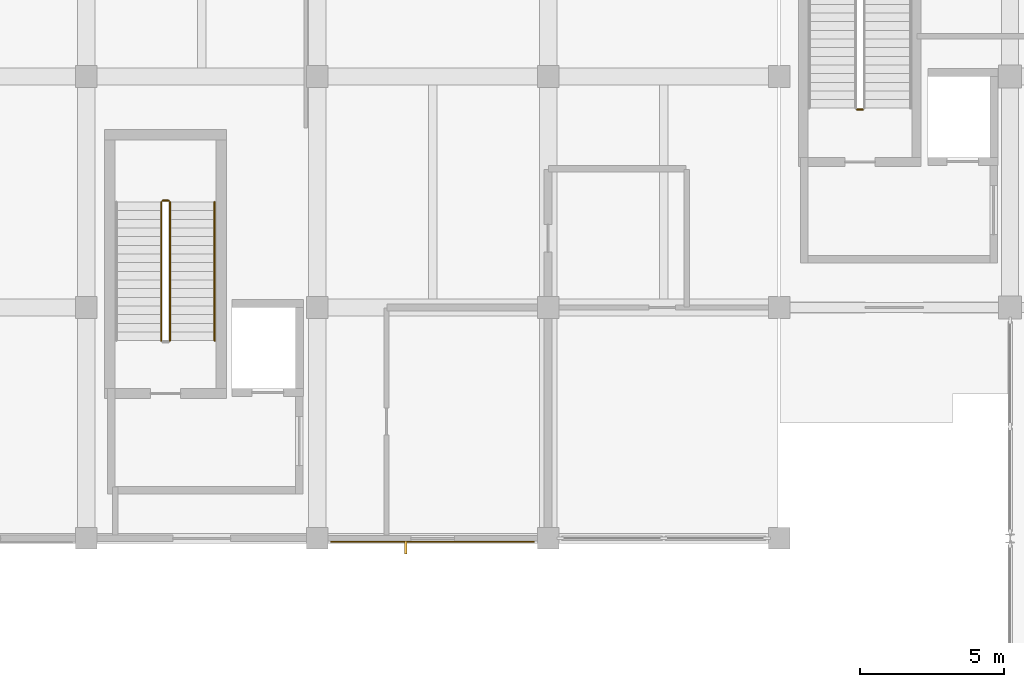
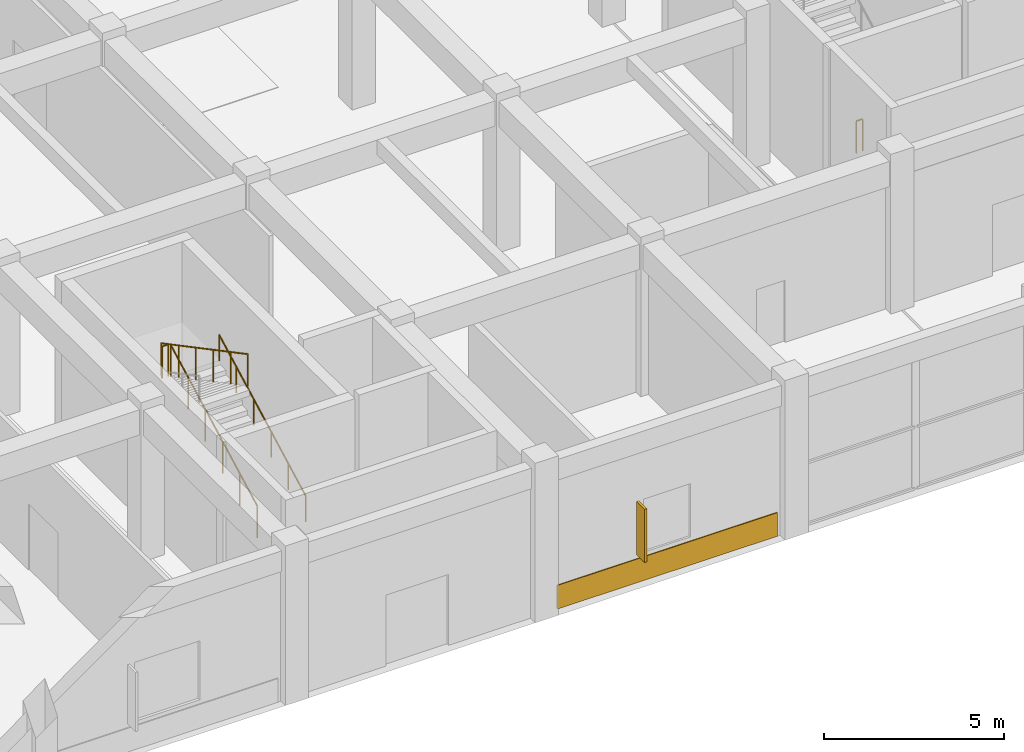
# One storey, part 67 of 86: 5 railings, 1 covering, 1 shading device.
"""IFC4 building model written with IfcOpenShell, lengths in metres."""

from ifc_helpers import new_model, si_unit, direction, frame, origin, origin_2d, place, context, subcontext, project, spatial, rectangle, circle, extrude, material, layer, layer_set, type_object, element, save


model = new_model("IFC4")

# Units and contexts
model_context = context("Model", 3, precision=1e-05, world=origin(), true_north=direction((0.0, 1.0)))
body_context = subcontext(model_context, "Body", "Model", "MODEL_VIEW")
ifc_project = project(units=[si_unit("LENGTHUNIT", "METRE"), si_unit("AREAUNIT", "SQUARE_METRE"), si_unit("VOLUMEUNIT", "CUBIC_METRE"), si_unit("PLANEANGLEUNIT", "RADIAN"), si_unit("MASSUNIT", "GRAM", prefix="KILO")], contexts=[model_context])

# Site, building, storey
site_placement = place(None, origin())
site = spatial("IfcSite", under=ifc_project, at=site_placement, CompositionType="ELEMENT")
building_placement = place(site_placement, origin())
building = spatial("IfcBuilding", under=site, at=building_placement, Name="Kenh Van Central Station", CompositionType="ELEMENT")
storey_placement = place(building_placement, origin())
storey = spatial("IfcBuildingStorey", under=building, at=storey_placement, Name="L00", CompositionType="ELEMENT", Elevation=0.0)

# Covering
ifc_material_1 = material(Name="Glazed terracotta rainscreen cladding", Category="masonry")
ifc_layer = layer(ifc_material_1, 0.034912109375, Name="Glazed terracotta rainscreen cladding")
ifc_layer_set = layer_set([ifc_layer], Name="Glazed terracotta rainscreen cladding")
covering_type = type_object("IfcCoveringType", Name="COV-CLAD-TERRA", PredefinedType="CLADDING", material=ifc_layer_set)
covering_placement = place(storey_placement, frame((36.0, 7.889892578125, 0.02001953125), z_axis=(0.0, 0.0, 1.0), x_axis=(1.0, 0.0, 0.0)))
element("IfcCovering", 1, at=covering_placement, inside=storey, type_object=covering_type, Name="L00 facade cladding 004", PredefinedType="CLADDING", context=body_context, shape_type="SweptSolid", body=[
    extrude(rectangle(XDim=7.050048828125, YDim=0.034912109375, at=origin_2d()), origin(), (0.0, 0.0, 1.0), 0.800048828125),
])

# Railings
ifc_material_2 = material(Name="Champagne anodised aluminium", Category="aluminium")
railing_type_1 = type_object("IfcRailingType", Name="RAIL-CORE-GRD110", PredefinedType="GUARDRAIL", material=ifc_material_2)
railing_1_placement = place(storey_placement, frame((26.89990234375, 14.85009765625, 0.158935546875)))
element("IfcRailing", 2, at=railing_1_placement, inside=storey, type_object=railing_type_1, Name="L00 ST-01 stair guard 1", PredefinedType="GUARDRAIL", context=body_context, shape_type="SweptSolid", body=[
    extrude(circle(Radius=0.02392578125, at=origin_2d()), frame((0.0, 0.0, 1.076171875), z_axis=(0.0, 0.883792290195, 0.467879458614), x_axis=(-1.0, 0.0, 0.0)), (0.0, 0.0, 1.0), 5.430908203125),
    extrude(circle(Radius=0.02099609375, at=origin_2d()), origin(), (0.0, 0.0, 1.0), 1.052001953125),
    extrude(circle(Radius=0.02099609375, at=origin_2d()), frame((0.0, 0.9599609375, 0.50830078125)), (0.0, 0.0, 1.0), 1.052001953125),
    extrude(circle(Radius=0.02099609375, at=origin_2d()), frame((0.0, 1.919921875, 1.016357421875)), (0.0, 0.0, 1.0), 1.052001953125),
    extrude(circle(Radius=0.02099609375, at=origin_2d()), frame((0.0, 2.8798828125, 1.524658203125)), (0.0, 0.0, 1.0), 1.052001953125),
    extrude(circle(Radius=0.02099609375, at=origin_2d()), frame((0.0, 3.83984375, 2.03271484375)), (0.0, 0.0, 1.0), 1.052001953125),
    extrude(circle(Radius=0.02099609375, at=origin_2d()), frame((0.0, 4.7998046875, 2.541015625)), (0.0, 0.0, 1.0), 1.052001953125),
])
railing_2_placement = place(storey_placement, frame((26.85009765625, 19.699951171875, 2.699951171875)))
element("IfcRailing", 3, at=railing_2_placement, inside=storey, type_object=railing_type_1, Name="L00 ST-01 stair guard 2", PredefinedType="GUARDRAIL", context=body_context, shape_type="SweptSolid", body=[
    extrude(circle(Radius=0.02392578125, at=origin_2d()), frame((0.0, 0.0, 1.076171875), z_axis=(-1.0, 0.0, 0.0), x_axis=(0.0, -1.0, 0.0)), (0.0, 0.0, 1.0), 0.2001953125),
    extrude(circle(Radius=0.02099609375, at=origin_2d()), origin(), (0.0, 0.0, 1.0), 1.052001953125),
    extrude(circle(Radius=0.02099609375, at=origin_2d()), frame((-0.2001953125, 0.0, 0.0)), (0.0, 0.0, 1.0), 1.052001953125),
])
railing_3_placement = place(storey_placement, frame((26.60009765625, 19.64990234375, 2.85888671875)))
element("IfcRailing", 4, at=railing_3_placement, inside=storey, type_object=railing_type_1, Name="L00 ST-01 stair guard 3", PredefinedType="GUARDRAIL", context=body_context, shape_type="SweptSolid", body=[
    extrude(circle(Radius=0.02392578125, at=origin_2d()), frame((0.0, 0.0, 1.076171875), z_axis=(0.0, -0.883792290195, 0.467879458614), x_axis=(1.0, 0.0, 0.0)), (0.0, 0.0, 1.0), 5.430908203125),
    extrude(circle(Radius=0.02099609375, at=origin_2d()), origin(), (0.0, 0.0, 1.0), 1.052001953125),
    extrude(circle(Radius=0.02099609375, at=origin_2d()), frame((0.0, -0.9599609375, 0.50830078125)), (0.0, 0.0, 1.0), 1.052001953125),
    extrude(circle(Radius=0.02099609375, at=origin_2d()), frame((0.0, -1.919921875, 1.016357421875)), (0.0, 0.0, 1.0), 1.052001953125),
    extrude(circle(Radius=0.02099609375, at=origin_2d()), frame((0.0, -2.8798828125, 1.524658203125)), (0.0, 0.0, 1.0), 1.052001953125),
    extrude(circle(Radius=0.02099609375, at=origin_2d()), frame((0.0, -3.83984375, 2.03271484375)), (0.0, 0.0, 1.0), 1.052001953125),
    extrude(circle(Radius=0.02099609375, at=origin_2d()), frame((0.0, -4.7998046875, 2.541015625)), (0.0, 0.0, 1.0), 1.052001953125),
])
railing_4_placement = place(storey_placement, frame((50.89990234375, 22.85009765625, 0.0)))
element("IfcRailing", 5, at=railing_4_placement, inside=storey, type_object=railing_type_1, Name="L00 ST-03 stair guard 4", PredefinedType="GUARDRAIL", context=body_context, shape_type="SweptSolid", body=[
    extrude(circle(Radius=0.02392578125, at=origin_2d()), frame((0.0, 0.0, 1.076171875), z_axis=(-1.0, 0.0, 0.0), x_axis=(0.0, -1.0, 0.0)), (0.0, 0.0, 1.0), 0.199951171875),
    extrude(circle(Radius=0.02099609375, at=origin_2d()), origin(), (0.0, 0.0, 1.0), 1.052001953125),
    extrude(circle(Radius=0.02099609375, at=origin_2d()), frame((-0.199951171875, 0.0, 0.0)), (0.0, 0.0, 1.0), 1.052001953125),
])
railing_type_2 = type_object("IfcRailingType", Name="RAIL-CORE-HND90", PredefinedType="HANDRAIL", material=ifc_material_2)
railing_5_placement = place(storey_placement, frame((28.449951171875, 14.85009765625, 0.158935546875)))
element("IfcRailing", 6, at=railing_5_placement, inside=storey, type_object=railing_type_2, Name="L00 ST-01 stair handrail 1", PredefinedType="HANDRAIL", context=body_context, shape_type="SweptSolid", body=[
    extrude(circle(Radius=0.02392578125, at=origin_2d()), frame((0.0, 0.0, 0.8759765625), z_axis=(0.0, 0.883792290195, 0.467879458614), x_axis=(-1.0, 0.0, 0.0)), (0.0, 0.0, 1.0), 5.430908203125),
    extrude(circle(Radius=0.02099609375, at=origin_2d()), origin(), (0.0, 0.0, 1.0), 0.851806640625),
    extrude(circle(Radius=0.02099609375, at=origin_2d()), frame((0.0, 0.9599609375, 0.50830078125)), (0.0, 0.0, 1.0), 0.851806640625),
    extrude(circle(Radius=0.02099609375, at=origin_2d()), frame((0.0, 1.919921875, 1.016357421875)), (0.0, 0.0, 1.0), 0.851806640625),
    extrude(circle(Radius=0.02099609375, at=origin_2d()), frame((0.0, 2.8798828125, 1.524658203125)), (0.0, 0.0, 1.0), 0.851806640625),
    extrude(circle(Radius=0.02099609375, at=origin_2d()), frame((0.0, 3.83984375, 2.03271484375)), (0.0, 0.0, 1.0), 0.851806640625),
    extrude(circle(Radius=0.02099609375, at=origin_2d()), frame((0.0, 4.7998046875, 2.541015625)), (0.0, 0.0, 1.0), 0.851806640625),
])

# Shading device
ifc_material_3 = material(Name="Precast concrete C40/50", Category="concrete")
shading_device_type = type_object("IfcShadingDeviceType", Name="SHD-FIN-SHT", PredefinedType="SHUTTER", material=ifc_material_3)
shading_device_placement = place(storey_placement, frame((35.070068359375, 7.6875, 0.9501953125), z_axis=(0.0, 0.0, 1.0), x_axis=(0.0, -1.0, 0.0)))
element("IfcShadingDevice", 7, at=shading_device_placement, inside=storey, type_object=shading_device_type, Name="L00 vertical brise-soleil fin 003", PredefinedType="SHUTTER", context=body_context, shape_type="SweptSolid", body=[
    extrude(rectangle(XDim=0.449951171875, YDim=0.080078125, at=origin_2d()), origin(), (0.0, 0.0, 1.0), 1.800048828125),
])

save(model, "model.ifc")
